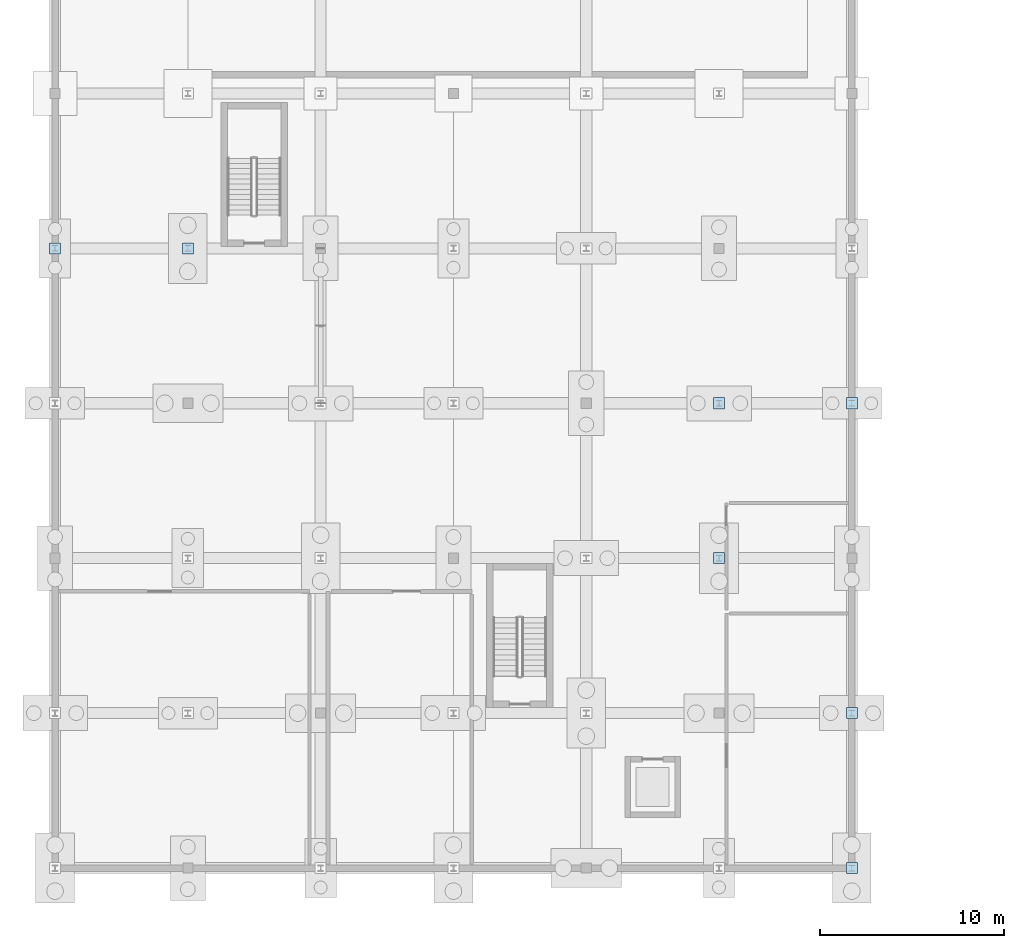
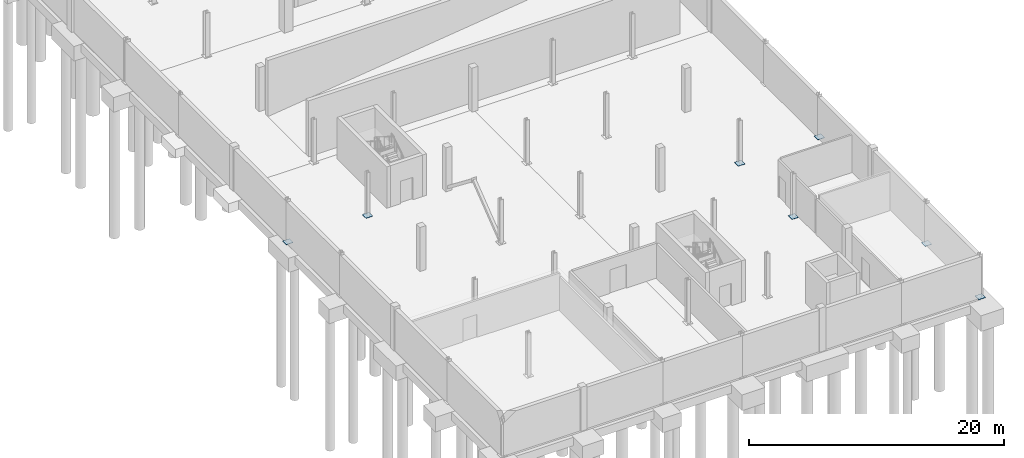
# One storey, part 17 of 32: 7 plates.
"""IFC4 building model written with IfcOpenShell, lengths in metres."""

from ifc_helpers import new_model, si_unit, direction, frame, origin, origin_2d, place, context, subcontext, project, spatial, rectangle, extrude, material, layer, layer_set, type_object, element, save


model = new_model("IFC4")

# Units and contexts
model_context = context("Model", 3, precision=1e-05, world=origin(), true_north=direction((0.0, 1.0)))
body_context = subcontext(model_context, "Body", "Model", "MODEL_VIEW")
ifc_project = project(units=[si_unit("LENGTHUNIT", "METRE"), si_unit("AREAUNIT", "SQUARE_METRE"), si_unit("VOLUMEUNIT", "CUBIC_METRE"), si_unit("PLANEANGLEUNIT", "RADIAN"), si_unit("MASSUNIT", "GRAM", prefix="KILO")], contexts=[model_context])

# Site, building, storey
site_placement = place(None, origin())
site = spatial("IfcSite", under=ifc_project, at=site_placement, CompositionType="ELEMENT")
building_placement = place(site_placement, origin())
building = spatial("IfcBuilding", under=site, at=building_placement, Name="Qelthora Terrace Specialist Clinic", CompositionType="ELEMENT")
storey_placement = place(building_placement, frame((0.0, 0.0, -4.199951171875)))
storey = spatial("IfcBuildingStorey", under=building, at=storey_placement, Name="B1", CompositionType="ELEMENT", Elevation=-4.199951171875)

# Plates
ifc_material = material(Name="Steel S355", Category="steel")
ifc_layer = layer(ifc_material, 0.030029296875)
ifc_layer_set = layer_set([ifc_layer], Name="Steel S355")
plate_type = type_object("IfcPlateType", Name="PLT-BASE-600X600X30", PredefinedType="USERDEFINED", material=ifc_layer_set)
for number, where, z_axis, x_axis, name in (
    (1, (0.0, 33.60009765625, 0.0), (0.0, 0.0, 1.0), (1.0, 0.0, 0.0), "Steel column base plate BPLT-004"),
    (2, (7.199951171875, 33.60009765625, 0.0), (0.0, 0.0, 1.0), (1.0, 0.0, 0.0), "Steel column base plate BPLT-013"),
    (3, (36.0, 16.800048828125, 0.0), (0.0, 0.0, 1.0), (1.0, 0.0, 0.0), "Steel column base plate BPLT-045"),
    (4, (36.0, 25.199951171875, 0.0), (0.0, 0.0, 1.0), (1.0, 0.0, 0.0), "Steel column base plate BPLT-046"),
    (5, (43.199951171875, 0.0, 0.0), (0.0, 0.0, 1.0), (1.0, 0.0, 0.0), "Steel column base plate BPLT-053"),
    (6, (43.199951171875, 8.39990234375, 0.0), (0.0, 0.0, 1.0), (1.0, 0.0, 0.0), "Steel column base plate BPLT-054"),
    (7, (43.199951171875, 25.199951171875, 0.0), (0.0, 0.0, 1.0), (1.0, 0.0, 0.0), "Steel column base plate BPLT-055"),
):
    element("IfcPlate", number, at=place(storey_placement, frame(where, z_axis=z_axis, x_axis=x_axis)), inside=storey, type_object=plate_type, Name=name, ObjectType="GUSSET PLATE", PredefinedType="USERDEFINED", context=body_context, shape_type="SweptSolid", body=[
        extrude(rectangle(XDim=0.60009765625, YDim=0.60009765625, at=origin_2d()), origin(), (0.0, 0.0, 1.0), 0.030029296875),
    ])

save(model, "model.ifc")
